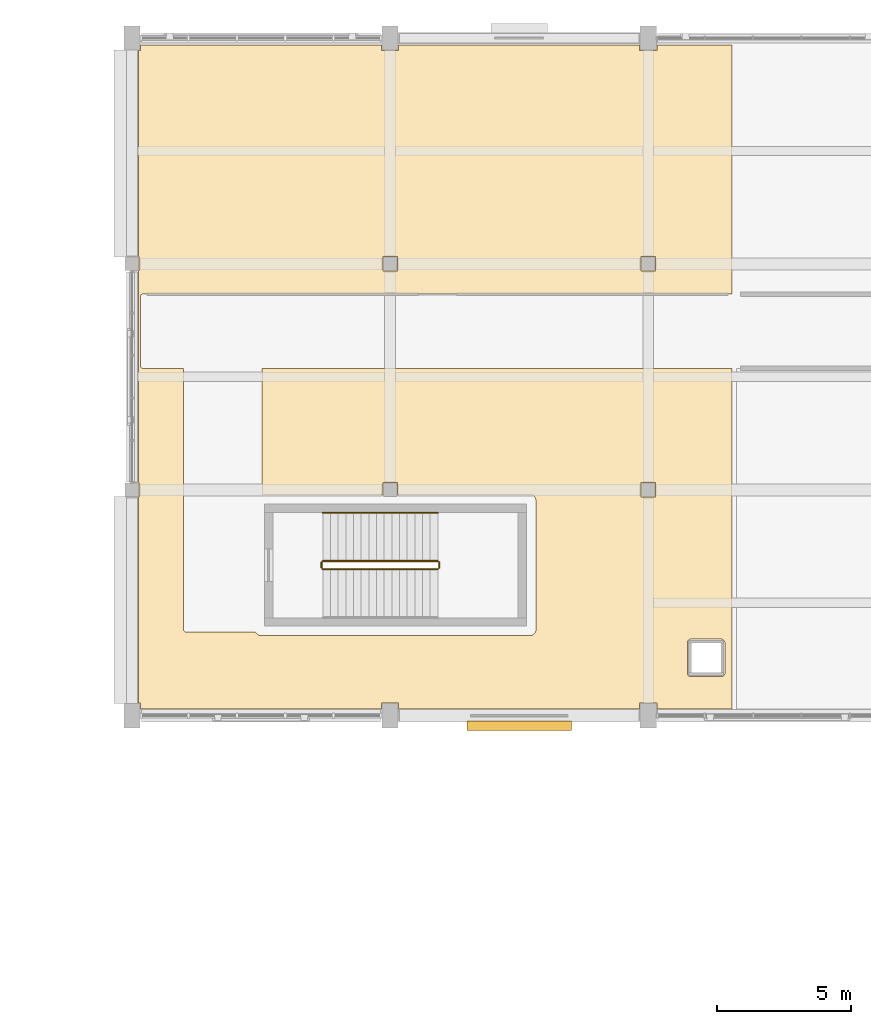
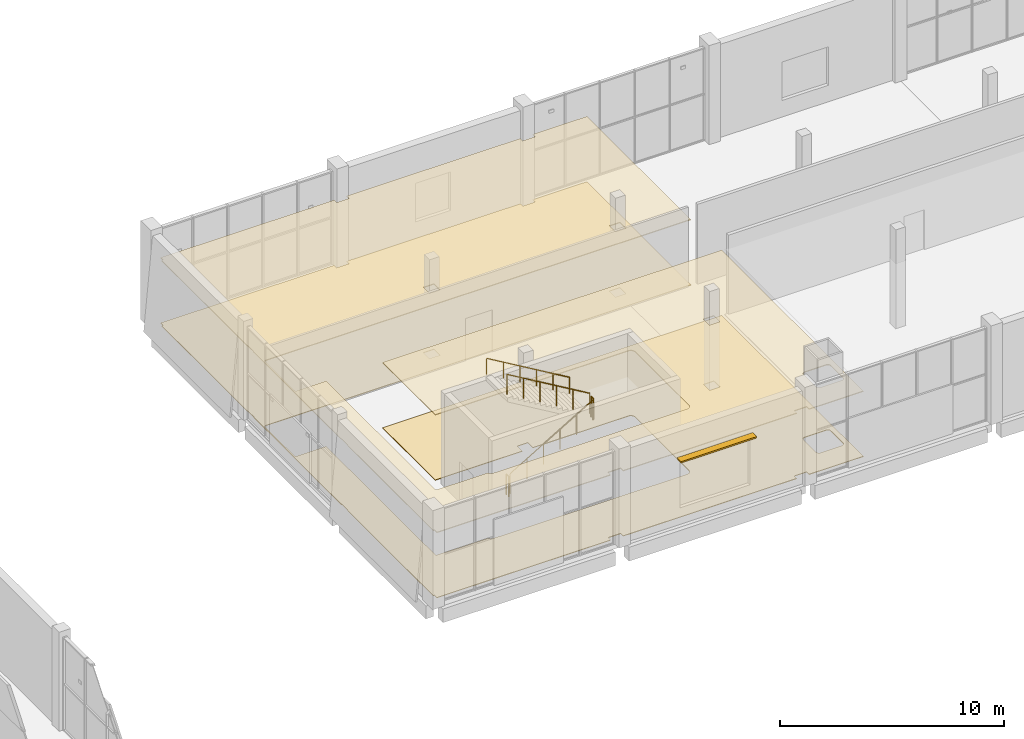
# One storey, part 76 of 83: 5 railings, 2 coverings, 1 shading device.
"""IFC4 building model written with IfcOpenShell, lengths in metres."""

from ifc_helpers import new_model, si_unit, direction, frame, origin, origin_2d, place, context, subcontext, project, spatial, polyline, rectangle, circle, outline, extrude, material, layer, layer_set, type_object, element, save


model = new_model("IFC4")

# Units and contexts
model_context = context("Model", 3, precision=1e-05, world=origin(), true_north=direction((0.0, 1.0)))
body_context = subcontext(model_context, "Body", "Model", "MODEL_VIEW")
ifc_project = project(units=[si_unit("LENGTHUNIT", "METRE"), si_unit("AREAUNIT", "SQUARE_METRE"), si_unit("VOLUMEUNIT", "CUBIC_METRE"), si_unit("PLANEANGLEUNIT", "RADIAN"), si_unit("MASSUNIT", "GRAM", prefix="KILO")], contexts=[model_context])

# Site, building, storey
site_placement = place(None, origin())
site = spatial("IfcSite", under=ifc_project, at=site_placement, CompositionType="ELEMENT")
building_placement = place(site_placement, origin())
building = spatial("IfcBuilding", under=site, at=building_placement, Name="Shalvenor Court Art Gallery", CompositionType="ELEMENT")
storey_placement = place(building_placement, frame((0.0, 0.0, 6.0)))
storey = spatial("IfcBuildingStorey", under=building, at=storey_placement, Name="L01", CompositionType="ELEMENT", Elevation=6.0)

# Coverings
ifc_material_1 = material(Name="Perforated acoustic gypsum gallery ceiling", Category="other")
ifc_layer_1 = layer(ifc_material_1, 0.044921875, Name="Perforated acoustic gypsum gallery ceiling")
ifc_layer_set_1 = layer_set([ifc_layer_1], Name="Perforated acoustic gypsum gallery ceiling")
covering_type_1 = type_object("IfcCoveringType", Name="CLG-01", PredefinedType="CEILING", material=ifc_layer_set_1)
covering_1_placement = place(storey_placement, frame((0.0, 0.0, 3.550048828125)))
element("IfcCovering", 1, at=covering_1_placement, inside=storey, type_object=covering_type_1, Name="L01 Permanent Painting Gallery Acoustic Ceiling", PredefinedType="CEILING", context=body_context, shape_type="SweptSolid", body=[
    extrude(outline(polyline([(79.919921875, 112.8798828125), (58.0, 112.8798828125), (57.9921875, 112.879638671875), (57.984375, 112.87841796875), (57.976806640625, 112.876708984375), (57.969482421875, 112.873779296875), (57.96240234375, 112.87060546875), (57.95556640625, 112.866455078125), (57.94921875, 112.86181640625), (57.943359375, 112.856689453125), (57.938232421875, 112.850830078125), (57.93359375, 112.844482421875), (57.929443359375, 112.837646484375), (57.926025390625, 112.83056640625), (57.92333984375, 112.8232421875), (57.92138671875, 112.815673828125), (57.92041015625, 112.807861328125), (57.919921875, 112.800048828125), (57.919921875, 110.199951171875), (57.92041015625, 110.192138671875), (57.92138671875, 110.184326171875), (57.92333984375, 110.1767578125), (57.926025390625, 110.16943359375), (57.929443359375, 110.162353515625), (57.93359375, 110.155517578125), (57.938232421875, 110.149169921875), (57.943359375, 110.143310546875), (57.94921875, 110.13818359375), (57.95556640625, 110.133544921875), (57.96240234375, 110.12939453125), (57.969482421875, 110.126220703125), (57.976806640625, 110.123291015625), (57.984375, 110.12158203125), (57.9921875, 110.120361328125), (58.0, 110.1201171875), (59.52001953125, 110.1201171875), (59.52001953125, 100.39990234375), (59.5205078125, 100.39208984375), (59.521484375, 100.384521484375), (59.5234375, 100.376708984375), (59.526123046875, 100.369384765625), (59.529296875, 100.3623046875), (59.533447265625, 100.355712890625), (59.5380859375, 100.34912109375), (59.54345703125, 100.343505859375), (59.54931640625, 100.338134765625), (59.5556640625, 100.33349609375), (59.562255859375, 100.329345703125), (59.5693359375, 100.326171875), (59.576904296875, 100.323486328125), (59.58447265625, 100.321533203125), (59.59228515625, 100.3203125), (59.60009765625, 100.320068359375), (62.1953125, 100.320068359375), (62.19677734375, 100.31591796875), (62.2060546875, 100.29638671875), (62.217041015625, 100.27783203125), (62.22998046875, 100.260498046875), (62.244384765625, 100.244384765625), (62.260498046875, 100.22998046875), (62.27783203125, 100.217041015625), (62.29638671875, 100.2060546875), (62.31591796875, 100.19677734375), (62.336181640625, 100.189453125), (62.357177734375, 100.18408203125), (62.37841796875, 100.18115234375), (62.39990234375, 100.179931640625), (72.39990234375, 100.179931640625), (72.421630859375, 100.18115234375), (72.44287109375, 100.18408203125), (72.4638671875, 100.189453125), (72.484130859375, 100.19677734375), (72.503662109375, 100.2060546875), (72.522216796875, 100.217041015625), (72.53955078125, 100.22998046875), (72.5556640625, 100.244384765625), (72.570068359375, 100.260498046875), (72.5830078125, 100.27783203125), (72.593994140625, 100.29638671875), (72.603271484375, 100.31591796875), (72.610595703125, 100.336181640625), (72.61572265625, 100.357177734375), (72.618896484375, 100.37841796875), (72.6201171875, 100.39990234375), (72.6201171875, 105.199951171875), (72.618896484375, 105.2216796875), (72.61572265625, 105.242919921875), (72.610595703125, 105.263916015625), (72.603271484375, 105.2841796875), (72.593994140625, 105.3037109375), (72.5830078125, 105.322265625), (72.570068359375, 105.339599609375), (72.5556640625, 105.355712890625), (72.53955078125, 105.3701171875), (72.522216796875, 105.3828125), (72.503662109375, 105.39404296875), (72.484130859375, 105.4033203125), (72.4638671875, 105.410400390625), (72.44287109375, 105.415771484375), (72.421630859375, 105.4189453125), (72.39990234375, 105.419921875), (67.469970703125, 105.419921875), (67.469970703125, 105.8701171875), (66.929931640625, 105.8701171875), (66.929931640625, 105.419921875), (62.429931640625, 105.419921875), (62.429931640625, 110.1201171875), (79.919921875, 110.1201171875), (79.919921875, 97.449951171875), (77.1201171875, 97.449951171875), (77.1201171875, 97.669921875), (76.47998046875, 97.669921875), (76.47998046875, 97.449951171875), (67.52001953125, 97.449951171875), (67.52001953125, 97.669921875), (66.8798828125, 97.669921875), (66.8798828125, 97.449951171875), (57.919921875, 97.449951171875), (57.919921875, 97.669921875), (57.85009765625, 97.669921875), (57.85009765625, 105.330078125), (57.8701171875, 105.330078125), (57.8701171875, 105.8701171875), (57.85009765625, 105.8701171875), (57.85009765625, 113.72998046875), (57.8701171875, 113.72998046875), (57.8701171875, 114.27001953125), (57.85009765625, 114.27001953125), (57.85009765625, 121.929931640625), (57.919921875, 121.929931640625), (57.919921875, 122.14990234375), (66.8798828125, 122.14990234375), (66.8798828125, 121.929931640625), (67.52001953125, 121.929931640625), (67.52001953125, 122.14990234375), (76.47998046875, 122.14990234375), (76.47998046875, 121.929931640625), (77.1201171875, 121.929931640625), (77.1201171875, 122.14990234375), (79.919921875, 122.14990234375), (79.919921875, 112.8798828125)]), holes=[polyline([(79.5, 98.64990234375), (79.5146484375, 98.650634765625), (79.529296875, 98.65283203125), (79.54345703125, 98.656494140625), (79.557373046875, 98.661376953125), (79.57080078125, 98.667724609375), (79.583251953125, 98.67529296875), (79.59521484375, 98.68408203125), (79.606201171875, 98.69384765625), (79.615966796875, 98.704833984375), (79.624755859375, 98.716796875), (79.63232421875, 98.729248046875), (79.638671875, 98.74267578125), (79.6435546875, 98.756591796875), (79.647216796875, 98.770751953125), (79.6494140625, 98.785400390625), (79.64990234375, 98.800048828125), (79.64990234375, 99.89990234375), (79.6494140625, 99.914794921875), (79.647216796875, 99.92919921875), (79.6435546875, 99.943603515625), (79.638671875, 99.95751953125), (79.63232421875, 99.970703125), (79.624755859375, 99.9833984375), (79.615966796875, 99.9951171875), (79.606201171875, 100.006103515625), (79.59521484375, 100.01611328125), (79.583251953125, 100.024658203125), (79.57080078125, 100.0322265625), (79.557373046875, 100.03857421875), (79.54345703125, 100.04345703125), (79.529296875, 100.047119140625), (79.5146484375, 100.04931640625), (79.5, 100.050048828125), (78.39990234375, 100.050048828125), (78.38525390625, 100.04931640625), (78.37060546875, 100.047119140625), (78.3564453125, 100.04345703125), (78.342529296875, 100.03857421875), (78.329345703125, 100.0322265625), (78.316650390625, 100.024658203125), (78.3046875, 100.01611328125), (78.2939453125, 100.006103515625), (78.283935546875, 99.9951171875), (78.275390625, 99.9833984375), (78.267578125, 99.970703125), (78.261474609375, 99.95751953125), (78.256591796875, 99.943603515625), (78.2529296875, 99.92919921875), (78.250732421875, 99.914794921875), (78.25, 99.89990234375), (78.25, 98.800048828125), (78.250732421875, 98.785400390625), (78.2529296875, 98.770751953125), (78.256591796875, 98.756591796875), (78.261474609375, 98.74267578125), (78.267578125, 98.729248046875), (78.275390625, 98.716796875), (78.283935546875, 98.704833984375), (78.2939453125, 98.69384765625), (78.3046875, 98.68408203125), (78.316650390625, 98.67529296875), (78.329345703125, 98.667724609375), (78.342529296875, 98.661376953125), (78.3564453125, 98.656494140625), (78.37060546875, 98.65283203125), (78.38525390625, 98.650634765625), (78.39990234375, 98.64990234375), (79.5, 98.64990234375)]), polyline([(67.469970703125, 114.27001953125), (66.929931640625, 114.27001953125), (66.929931640625, 113.72998046875), (67.469970703125, 113.72998046875), (67.469970703125, 114.27001953125)]), polyline([(76.530029296875, 114.27001953125), (76.530029296875, 113.72998046875), (77.070068359375, 113.72998046875), (77.070068359375, 114.27001953125), (76.530029296875, 114.27001953125)]), polyline([(76.530029296875, 105.8701171875), (76.530029296875, 105.330078125), (77.070068359375, 105.330078125), (77.070068359375, 105.8701171875), (76.530029296875, 105.8701171875)])]), origin(), (0.0, 0.0, 1.0), 0.044921875),
])
ifc_material_2 = material(Name="Quarter-sawn white oak gallery flooring", Category="wood")
ifc_layer_2 = layer(ifc_material_2, 0.031982421875, Name="Quarter-sawn white oak gallery flooring")
ifc_layer_set_2 = layer_set([ifc_layer_2], Name="Quarter-sawn white oak gallery flooring")
covering_type_2 = type_object("IfcCoveringType", Name="FLR-02", PredefinedType="FLOORING", material=ifc_layer_set_2)
covering_2_placement = place(storey_placement, origin())
element("IfcCovering", 2, at=covering_2_placement, inside=storey, type_object=covering_type_2, Name="L01 Permanent Painting Gallery Flooring", PredefinedType="FLOORING", context=body_context, shape_type="SweptSolid", body=[
    extrude(outline(polyline([(79.919921875, 112.8798828125), (58.0, 112.8798828125), (57.9921875, 112.879638671875), (57.984375, 112.87841796875), (57.976806640625, 112.876708984375), (57.969482421875, 112.873779296875), (57.96240234375, 112.87060546875), (57.95556640625, 112.866455078125), (57.94921875, 112.86181640625), (57.943359375, 112.856689453125), (57.938232421875, 112.850830078125), (57.93359375, 112.844482421875), (57.929443359375, 112.837646484375), (57.926025390625, 112.83056640625), (57.92333984375, 112.8232421875), (57.92138671875, 112.815673828125), (57.92041015625, 112.807861328125), (57.919921875, 112.800048828125), (57.919921875, 110.199951171875), (57.92041015625, 110.192138671875), (57.92138671875, 110.184326171875), (57.92333984375, 110.1767578125), (57.926025390625, 110.16943359375), (57.929443359375, 110.162353515625), (57.93359375, 110.155517578125), (57.938232421875, 110.149169921875), (57.943359375, 110.143310546875), (57.94921875, 110.13818359375), (57.95556640625, 110.133544921875), (57.96240234375, 110.12939453125), (57.969482421875, 110.126220703125), (57.976806640625, 110.123291015625), (57.984375, 110.12158203125), (57.9921875, 110.120361328125), (58.0, 110.1201171875), (59.52001953125, 110.1201171875), (59.52001953125, 100.39990234375), (59.5205078125, 100.39208984375), (59.521484375, 100.384521484375), (59.5234375, 100.376708984375), (59.526123046875, 100.369384765625), (59.529296875, 100.3623046875), (59.533447265625, 100.355712890625), (59.5380859375, 100.34912109375), (59.54345703125, 100.343505859375), (59.54931640625, 100.338134765625), (59.5556640625, 100.33349609375), (59.562255859375, 100.329345703125), (59.5693359375, 100.326171875), (59.576904296875, 100.323486328125), (59.58447265625, 100.321533203125), (59.59228515625, 100.3203125), (59.60009765625, 100.320068359375), (62.1953125, 100.320068359375), (62.19677734375, 100.31591796875), (62.2060546875, 100.29638671875), (62.217041015625, 100.27783203125), (62.22998046875, 100.260498046875), (62.244384765625, 100.244384765625), (62.260498046875, 100.22998046875), (62.27783203125, 100.217041015625), (62.29638671875, 100.2060546875), (62.31591796875, 100.19677734375), (62.336181640625, 100.189453125), (62.357177734375, 100.18408203125), (62.37841796875, 100.18115234375), (62.39990234375, 100.179931640625), (72.39990234375, 100.179931640625), (72.421630859375, 100.18115234375), (72.44287109375, 100.18408203125), (72.4638671875, 100.189453125), (72.484130859375, 100.19677734375), (72.503662109375, 100.2060546875), (72.522216796875, 100.217041015625), (72.53955078125, 100.22998046875), (72.5556640625, 100.244384765625), (72.570068359375, 100.260498046875), (72.5830078125, 100.27783203125), (72.593994140625, 100.29638671875), (72.603271484375, 100.31591796875), (72.610595703125, 100.336181640625), (72.61572265625, 100.357177734375), (72.618896484375, 100.37841796875), (72.6201171875, 100.39990234375), (72.6201171875, 105.199951171875), (72.618896484375, 105.2216796875), (72.61572265625, 105.242919921875), (72.610595703125, 105.263916015625), (72.603271484375, 105.2841796875), (72.593994140625, 105.3037109375), (72.5830078125, 105.322265625), (72.570068359375, 105.339599609375), (72.5556640625, 105.355712890625), (72.53955078125, 105.3701171875), (72.522216796875, 105.3828125), (72.503662109375, 105.39404296875), (72.484130859375, 105.4033203125), (72.4638671875, 105.410400390625), (72.44287109375, 105.415771484375), (72.421630859375, 105.4189453125), (72.39990234375, 105.419921875), (67.469970703125, 105.419921875), (67.469970703125, 105.8701171875), (66.929931640625, 105.8701171875), (66.929931640625, 105.419921875), (62.429931640625, 105.419921875), (62.429931640625, 110.1201171875), (79.919921875, 110.1201171875), (79.919921875, 97.449951171875), (77.1201171875, 97.449951171875), (77.1201171875, 97.669921875), (76.47998046875, 97.669921875), (76.47998046875, 97.449951171875), (67.52001953125, 97.449951171875), (67.52001953125, 97.669921875), (66.8798828125, 97.669921875), (66.8798828125, 97.449951171875), (57.919921875, 97.449951171875), (57.919921875, 97.669921875), (57.85009765625, 97.669921875), (57.85009765625, 105.330078125), (57.8701171875, 105.330078125), (57.8701171875, 105.8701171875), (57.85009765625, 105.8701171875), (57.85009765625, 113.72998046875), (57.8701171875, 113.72998046875), (57.8701171875, 114.27001953125), (57.85009765625, 114.27001953125), (57.85009765625, 121.929931640625), (57.919921875, 121.929931640625), (57.919921875, 122.14990234375), (66.8798828125, 122.14990234375), (66.8798828125, 121.929931640625), (67.52001953125, 121.929931640625), (67.52001953125, 122.14990234375), (76.47998046875, 122.14990234375), (76.47998046875, 121.929931640625), (77.1201171875, 121.929931640625), (77.1201171875, 122.14990234375), (79.919921875, 122.14990234375), (79.919921875, 112.8798828125)]), holes=[polyline([(79.5, 98.64990234375), (79.5146484375, 98.650634765625), (79.529296875, 98.65283203125), (79.54345703125, 98.656494140625), (79.557373046875, 98.661376953125), (79.57080078125, 98.667724609375), (79.583251953125, 98.67529296875), (79.59521484375, 98.68408203125), (79.606201171875, 98.69384765625), (79.615966796875, 98.704833984375), (79.624755859375, 98.716796875), (79.63232421875, 98.729248046875), (79.638671875, 98.74267578125), (79.6435546875, 98.756591796875), (79.647216796875, 98.770751953125), (79.6494140625, 98.785400390625), (79.64990234375, 98.800048828125), (79.64990234375, 99.89990234375), (79.6494140625, 99.914794921875), (79.647216796875, 99.92919921875), (79.6435546875, 99.943603515625), (79.638671875, 99.95751953125), (79.63232421875, 99.970703125), (79.624755859375, 99.9833984375), (79.615966796875, 99.9951171875), (79.606201171875, 100.006103515625), (79.59521484375, 100.01611328125), (79.583251953125, 100.024658203125), (79.57080078125, 100.0322265625), (79.557373046875, 100.03857421875), (79.54345703125, 100.04345703125), (79.529296875, 100.047119140625), (79.5146484375, 100.04931640625), (79.5, 100.050048828125), (78.39990234375, 100.050048828125), (78.38525390625, 100.04931640625), (78.37060546875, 100.047119140625), (78.3564453125, 100.04345703125), (78.342529296875, 100.03857421875), (78.329345703125, 100.0322265625), (78.316650390625, 100.024658203125), (78.3046875, 100.01611328125), (78.2939453125, 100.006103515625), (78.283935546875, 99.9951171875), (78.275390625, 99.9833984375), (78.267578125, 99.970703125), (78.261474609375, 99.95751953125), (78.256591796875, 99.943603515625), (78.2529296875, 99.92919921875), (78.250732421875, 99.914794921875), (78.25, 99.89990234375), (78.25, 98.800048828125), (78.250732421875, 98.785400390625), (78.2529296875, 98.770751953125), (78.256591796875, 98.756591796875), (78.261474609375, 98.74267578125), (78.267578125, 98.729248046875), (78.275390625, 98.716796875), (78.283935546875, 98.704833984375), (78.2939453125, 98.69384765625), (78.3046875, 98.68408203125), (78.316650390625, 98.67529296875), (78.329345703125, 98.667724609375), (78.342529296875, 98.661376953125), (78.3564453125, 98.656494140625), (78.37060546875, 98.65283203125), (78.38525390625, 98.650634765625), (78.39990234375, 98.64990234375), (79.5, 98.64990234375)]), polyline([(67.469970703125, 114.27001953125), (66.929931640625, 114.27001953125), (66.929931640625, 113.72998046875), (67.469970703125, 113.72998046875), (67.469970703125, 114.27001953125)]), polyline([(76.530029296875, 114.27001953125), (76.530029296875, 113.72998046875), (77.070068359375, 113.72998046875), (77.070068359375, 114.27001953125), (76.530029296875, 114.27001953125)]), polyline([(76.530029296875, 105.8701171875), (76.530029296875, 105.330078125), (77.070068359375, 105.330078125), (77.070068359375, 105.8701171875), (76.530029296875, 105.8701171875)])]), origin(), (0.0, 0.0, 1.0), 0.031982421875),
])

# Railings
ifc_material_3 = material(Name="Painted steel post-and-rail guard", Category="steel")
railing_type_1 = type_object("IfcRailingType", Name="GR-02", PredefinedType="GUARDRAIL", material=ifc_material_3)
railing_1_placement = place(storey_placement, frame((64.699951171875, 102.64990234375, 0.168701171875)))
element("IfcRailing", 3, at=railing_1_placement, inside=storey, type_object=railing_type_1, Name="L01 ST-09 Stair Guard 1", PredefinedType="GUARDRAIL", context=body_context, shape_type="SweptSolid", body=[
    extrude(circle(Radius=0.02392578125, at=origin_2d()), frame((0.0, 0.0, 1.09619140625), z_axis=(0.860483042394, 0.0, 0.50947908078), x_axis=(0.0, 1.0, 0.0)), (0.0, 0.0, 1.0), 4.96826171875),
    extrude(circle(Radius=0.02099609375, at=origin_2d()), origin(), (0.0, 0.0, 1.0), 1.072021484375),
    extrude(circle(Radius=0.02099609375, at=origin_2d()), frame((0.85498046875, 0.0, 0.50634765625)), (0.0, 0.0, 1.0), 1.072021484375),
    extrude(circle(Radius=0.02099609375, at=origin_2d()), frame((1.7099609375, 0.0, 1.012451171875)), (0.0, 0.0, 1.0), 1.072021484375),
    extrude(circle(Radius=0.02099609375, at=origin_2d()), frame((2.565185546875, 0.0, 1.518798828125)), (0.0, 0.0, 1.0), 1.072021484375),
    extrude(circle(Radius=0.02099609375, at=origin_2d()), frame((3.420166015625, 0.0, 2.02490234375)), (0.0, 0.0, 1.0), 1.072021484375),
    extrude(circle(Radius=0.02099609375, at=origin_2d()), frame((4.275146484375, 0.0, 2.53125)), (0.0, 0.0, 1.0), 1.072021484375),
])
railing_2_placement = place(storey_placement, frame((69.02490234375, 102.699951171875, 2.699951171875)))
element("IfcRailing", 4, at=railing_2_placement, inside=storey, type_object=railing_type_1, Name="L01 ST-09 Stair Guard 2", PredefinedType="GUARDRAIL", context=body_context, shape_type="SweptSolid", body=[
    extrude(circle(Radius=0.02392578125, at=origin_2d()), frame((0.0, 0.0, 1.09619140625), z_axis=(0.0, 1.0, 0.0), x_axis=(-1.0, 0.0, 0.0)), (0.0, 0.0, 1.0), 0.199951171875),
    extrude(circle(Radius=0.02099609375, at=origin_2d()), origin(), (0.0, 0.0, 1.0), 1.072021484375),
    extrude(circle(Radius=0.02099609375, at=origin_2d()), frame((0.0, 0.199951171875, 0.0)), (0.0, 0.0, 1.0), 1.072021484375),
])
railing_3_placement = place(storey_placement, frame((68.97509765625, 102.949951171875, 2.86865234375)))
element("IfcRailing", 5, at=railing_3_placement, inside=storey, type_object=railing_type_1, Name="L01 ST-09 Stair Guard 3", PredefinedType="GUARDRAIL", context=body_context, shape_type="SweptSolid", body=[
    extrude(circle(Radius=0.02392578125, at=origin_2d()), frame((0.0, 0.0, 1.09619140625), z_axis=(-0.860483042394, 0.0, 0.50947908078), x_axis=(0.0, -1.0, 0.0)), (0.0, 0.0, 1.0), 4.96826171875),
    extrude(circle(Radius=0.02099609375, at=origin_2d()), origin(), (0.0, 0.0, 1.0), 1.072021484375),
    extrude(circle(Radius=0.02099609375, at=origin_2d()), frame((-0.85498046875, 0.0, 0.50634765625)), (0.0, 0.0, 1.0), 1.072021484375),
    extrude(circle(Radius=0.02099609375, at=origin_2d()), frame((-1.7099609375, 0.0, 1.012451171875)), (0.0, 0.0, 1.0), 1.072021484375),
    extrude(circle(Radius=0.02099609375, at=origin_2d()), frame((-2.565185546875, 0.0, 1.518798828125)), (0.0, 0.0, 1.0), 1.072021484375),
    extrude(circle(Radius=0.02099609375, at=origin_2d()), frame((-3.420166015625, 0.0, 2.02490234375)), (0.0, 0.0, 1.0), 1.072021484375),
    extrude(circle(Radius=0.02099609375, at=origin_2d()), frame((-4.275146484375, 0.0, 2.53125)), (0.0, 0.0, 1.0), 1.072021484375),
])
railing_4_placement = place(storey_placement, frame((64.64990234375, 102.699951171875, 0.0)))
element("IfcRailing", 6, at=railing_4_placement, inside=storey, type_object=railing_type_1, Name="L01 ST-09 Stair Guard 4", PredefinedType="GUARDRAIL", context=body_context, shape_type="SweptSolid", body=[
    extrude(circle(Radius=0.02392578125, at=origin_2d()), frame((0.0, 0.0, 1.09619140625), z_axis=(0.0, 1.0, 0.0), x_axis=(-1.0, 0.0, 0.0)), (0.0, 0.0, 1.0), 0.199951171875),
    extrude(circle(Radius=0.02099609375, at=origin_2d()), origin(), (0.0, 0.0, 1.0), 1.072021484375),
    extrude(circle(Radius=0.02099609375, at=origin_2d()), frame((0.0, 0.199951171875, 0.0)), (0.0, 0.0, 1.0), 1.072021484375),
])
ifc_material_4 = material(Name="Brushed stainless steel handrail", Category="steel")
railing_type_2 = type_object("IfcRailingType", Name="HR-01", PredefinedType="HANDRAIL", material=ifc_material_4)
railing_5_placement = place(storey_placement, frame((68.97509765625, 104.75, 2.86865234375)))
element("IfcRailing", 7, at=railing_5_placement, inside=storey, type_object=railing_type_2, Name="L01 ST-09 Stair Handrail 2", PredefinedType="HANDRAIL", context=body_context, shape_type="SweptSolid", body=[
    extrude(circle(Radius=0.02392578125, at=origin_2d()), frame((0.0, 0.0, 0.8759765625), z_axis=(-0.860483042394, 0.0, 0.50947908078), x_axis=(0.0, -1.0, 0.0)), (0.0, 0.0, 1.0), 4.96826171875),
    extrude(circle(Radius=0.02099609375, at=origin_2d()), origin(), (0.0, 0.0, 1.0), 0.851806640625),
    extrude(circle(Radius=0.02099609375, at=origin_2d()), frame((-0.85498046875, 0.0, 0.50634765625)), (0.0, 0.0, 1.0), 0.851806640625),
    extrude(circle(Radius=0.02099609375, at=origin_2d()), frame((-1.7099609375, 0.0, 1.012451171875)), (0.0, 0.0, 1.0), 0.851806640625),
    extrude(circle(Radius=0.02099609375, at=origin_2d()), frame((-2.565185546875, 0.0, 1.518798828125)), (0.0, 0.0, 1.0), 0.851806640625),
    extrude(circle(Radius=0.02099609375, at=origin_2d()), frame((-3.420166015625, 0.0, 2.02490234375)), (0.0, 0.0, 1.0), 0.851806640625),
    extrude(circle(Radius=0.02099609375, at=origin_2d()), frame((-4.275146484375, 0.0, 2.53125)), (0.0, 0.0, 1.0), 0.851806640625),
])

# Shading device
ifc_material_5 = material(Name="Dark anodised bronze aluminium louvre", Category="aluminium")
shading_device_type = type_object("IfcShadingDeviceType", Name="SHD-01", PredefinedType="JALOUSIE", material=ifc_material_5)
shading_device_placement = place(storey_placement, frame((72.0, 96.830078125, 3.599853515625), z_axis=(0.0, 0.0, 1.0), x_axis=(-1.0, 0.0, 0.0)))
element("IfcShadingDevice", 8, at=shading_device_placement, inside=storey, type_object=shading_device_type, Name="L01 Koushi Window Sunshade 32", PredefinedType="JALOUSIE", context=body_context, shape_type="SweptSolid", body=[
    extrude(rectangle(XDim=3.89990234375, YDim=0.360107421875, at=origin_2d()), origin(), (0.0, 0.0, 1.0), 0.080078125),
])

save(model, "model.ifc")
